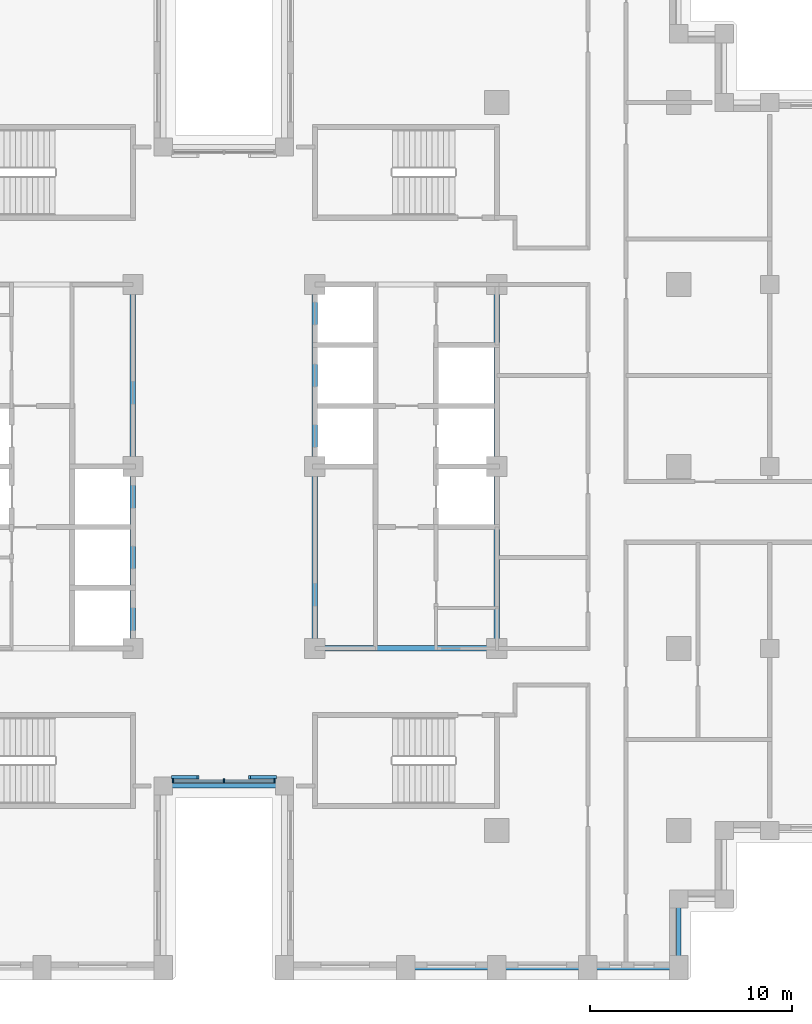
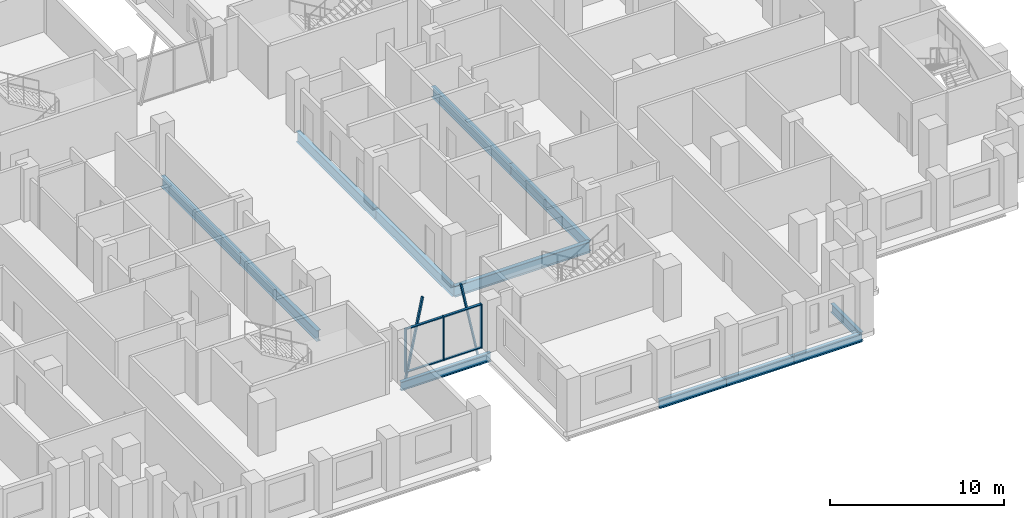
# One storey, part 2 of 16: 12 beams, 9 members, 1 element without a shape of its own.
"""IFC4 building model written with IfcOpenShell, lengths in metres."""

from ifc_helpers import new_model, si_unit, direction, frame, origin, origin_2d, place, context, subcontext, project, spatial, rectangle, i_section, extrude, material, layer, layer_set, material_profile, profile_set, type_object, element, aggregate, save


model = new_model("IFC4")

# Units and contexts
model_context = context("Model", 3, precision=1e-05, world=origin(), true_north=direction((0.0, 1.0)))
body_context = subcontext(model_context, "Body", "Model", "MODEL_VIEW")
ifc_project = project(units=[si_unit("LENGTHUNIT", "METRE"), si_unit("AREAUNIT", "SQUARE_METRE"), si_unit("VOLUMEUNIT", "CUBIC_METRE"), si_unit("PLANEANGLEUNIT", "RADIAN"), si_unit("MASSUNIT", "GRAM", prefix="KILO")], contexts=[model_context])

# Site, building, storey
site_placement = place(None, origin())
site = spatial("IfcSite", under=ifc_project, at=site_placement, CompositionType="ELEMENT")
building_placement = place(site_placement, origin())
building = spatial("IfcBuilding", under=site, at=building_placement, Name="Corbelhall Arena Tower", CompositionType="ELEMENT")
storey_placement = place(building_placement, frame((0.0, 0.0, 112.0)))
storey = spatial("IfcBuildingStorey", under=building, at=storey_placement, Name="L20", CompositionType="ELEMENT", Elevation=112.0)

# Curtain wall, members
ifc_material_1 = material(Name="Aluminium black anodised", Category="aluminium")
ifc_layer = layer(ifc_material_1, 0.199951171875)
ifc_layer_set = layer_set([ifc_layer], Name="EV-CW1 Slot back wall")
curtain_wall_type = type_object("IfcCurtainWallType", Name="EV-CW1 Slot back wall", PredefinedType="NOTDEFINED", material=ifc_layer_set)
curtain_wall_placement = place(storey_placement, origin())
curtain_wall = element("IfcCurtainWall", 1, at=curtain_wall_placement, inside=storey, type_object=curtain_wall_type, Name="Curtain wall CW1", PredefinedType="NOTDEFINED")
ifc_material_profile_1 = material_profile(ifc_material_1, rectangle(XDim=0.199951171875, YDim=0.074951171875, at=origin_2d()))
ifc_profile_set_1 = profile_set([ifc_material_profile_1], Name="Aluminium black anodised")
member_type_1 = type_object("IfcMemberType", Name="EV-CW1-MULLION", PredefinedType="MULLION", material=ifc_profile_set_1)
member_1_placement = place(storey_placement, frame((-2.512451171875, -15.550048828125, 0.0), z_axis=(0.0, 0.0, 1.0), x_axis=(0.0, 1.0, 0.0)))
member_1 = element("IfcMember", 2, at=member_1_placement, type_object=member_type_1, Name="CW1 mullion 1", PredefinedType="MULLION", context=body_context, shape_type="SweptSolid", body=[
    extrude(rectangle(XDim=0.199951171875, YDim=0.074951171875, at=origin_2d()), origin(), (0.0, 0.0, 1.0), 3.10009765625),
])
member_2_placement = place(storey_placement, frame((0.0, -15.550048828125, 0.0), z_axis=(0.0, 0.0, 1.0), x_axis=(0.0, 1.0, 0.0)))
member_2 = element("IfcMember", 3, at=member_2_placement, type_object=member_type_1, Name="CW1 mullion 2", PredefinedType="MULLION", context=body_context, shape_type="SweptSolid", body=[
    extrude(rectangle(XDim=0.199951171875, YDim=0.074951171875, at=origin_2d()), origin(), (0.0, 0.0, 1.0), 3.10009765625),
])
member_3_placement = place(storey_placement, frame((2.512451171875, -15.550048828125, 0.0), z_axis=(0.0, 0.0, 1.0), x_axis=(0.0, 1.0, 0.0)))
member_3 = element("IfcMember", 4, at=member_3_placement, type_object=member_type_1, Name="CW1 mullion 3", PredefinedType="MULLION", context=body_context, shape_type="SweptSolid", body=[
    extrude(rectangle(XDim=0.199951171875, YDim=0.074951171875, at=origin_2d()), origin(), (0.0, 0.0, 1.0), 3.10009765625),
])
ifc_material_profile_2 = material_profile(ifc_material_1, rectangle(XDim=0.14990234375, YDim=0.074951171875, at=origin_2d()))
ifc_profile_set_2 = profile_set([ifc_material_profile_2], Name="Aluminium black anodised")
member_type_2 = type_object("IfcMemberType", Name="EV-CW1-TRANSOM", PredefinedType="USERDEFINED", material=ifc_profile_set_2)
member_4_placement = place(storey_placement, frame((-2.47509765625, -15.550048828125, 0.03759765625), z_axis=(1.0, 0.0, 0.0), x_axis=(0.0, 1.0, 0.0)))
member_4 = element("IfcMember", 5, at=member_4_placement, type_object=member_type_2, Name="CW1 transom 1.1", ObjectType="transom", PredefinedType="USERDEFINED", context=body_context, shape_type="SweptSolid", body=[
    extrude(rectangle(XDim=0.14990234375, YDim=0.074951171875, at=origin_2d()), origin(), (0.0, 0.0, 1.0), 2.4375),
])
member_5_placement = place(storey_placement, frame((-2.47509765625, -15.550048828125, 3.0625), z_axis=(1.0, 0.0, 0.0), x_axis=(0.0, 1.0, 0.0)))
member_5 = element("IfcMember", 6, at=member_5_placement, type_object=member_type_2, Name="CW1 transom 1.2", ObjectType="transom", PredefinedType="USERDEFINED", context=body_context, shape_type="SweptSolid", body=[
    extrude(rectangle(XDim=0.14990234375, YDim=0.074951171875, at=origin_2d()), origin(), (0.0, 0.0, 1.0), 2.4375),
])
member_6_placement = place(storey_placement, frame((0.03759765625, -15.550048828125, 0.03759765625), z_axis=(1.0, 0.0, 0.0), x_axis=(0.0, 1.0, 0.0)))
member_6 = element("IfcMember", 7, at=member_6_placement, type_object=member_type_2, Name="CW1 transom 2.1", ObjectType="transom", PredefinedType="USERDEFINED", context=body_context, shape_type="SweptSolid", body=[
    extrude(rectangle(XDim=0.14990234375, YDim=0.074951171875, at=origin_2d()), origin(), (0.0, 0.0, 1.0), 2.4375),
])
member_7_placement = place(storey_placement, frame((0.03759765625, -15.550048828125, 3.0625), z_axis=(1.0, 0.0, 0.0), x_axis=(0.0, 1.0, 0.0)))
member_7 = element("IfcMember", 8, at=member_7_placement, type_object=member_type_2, Name="CW1 transom 2.2", ObjectType="transom", PredefinedType="USERDEFINED", context=body_context, shape_type="SweptSolid", body=[
    extrude(rectangle(XDim=0.14990234375, YDim=0.074951171875, at=origin_2d()), origin(), (0.0, 0.0, 1.0), 2.4375),
])
aggregate(curtain_wall, [member_1, member_2, member_3, member_4, member_5, member_6, member_7])

# Members
ifc_material_profile_3 = material_profile(ifc_material_1, rectangle(XDim=0.159912109375, YDim=0.10009765625, at=origin_2d()))
ifc_profile_set_3 = profile_set([ifc_material_profile_3], Name="Aluminium black anodised")
member_type_3 = type_object("IfcMemberType", Name="EV-TR1 Tracery bar", PredefinedType="USERDEFINED", material=ifc_profile_set_3)
for number, where, z_axis, x_axis, name in (
    (9, (-2.550048828125, -15.3701171875, -1.307373046875), (0.204144671158, 0.0, 0.978940730197), (0.0, 1.0, 0.0), "Tracery bar"),
    (10, (1.27490234375, -15.3701171875, 4.807373046875), (0.204144671158, 0.0, -0.978940730197), (0.0, 1.0, 0.0), "Tracery bar"),
):
    element("IfcMember", number, at=place(storey_placement, frame(where, z_axis=z_axis, x_axis=x_axis)), inside=storey, type_object=member_type_3, Name=name, ObjectType="TRACERY", PredefinedType="USERDEFINED", context=body_context, shape_type="SweptSolid", body=[
        extrude(rectangle(XDim=0.159912109375, YDim=0.10009765625, at=origin_2d()), origin(), (0.0, 0.0, 1.0), 6.246337890625),
    ])

# Beams
ifc_material_2 = material(Name="Steel ASTM A992 Gr50", Category="steel")
ifc_material_profile_4 = material_profile(ifc_material_2, i_section(OverallWidth=0.2666015625, OverallDepth=0.761962890625, WebThickness=0.014404296875, FlangeThickness=0.021484375, at=origin_2d()))
ifc_profile_set_4 = profile_set([ifc_material_profile_4], Name="Steel ASTM A992 Gr50")
beam_type_1 = type_object("IfcBeamType", Name="ST-BEAM-W30x116", PredefinedType="BEAM", material=ifc_profile_set_4)
for number, where, z_axis, x_axis, name in (
    (11, (-4.5, -9.0, -0.680908203125), (0.0, 1.0, 0.0), (-1.0, 0.0, 0.0), "Beam CEW 3"),
    (12, (-4.5, 0.0, -0.680908203125), (0.0, 1.0, 0.0), (-1.0, 0.0, 0.0), "Beam CEW 4"),
    (13, (4.5, -9.0, -0.680908203125), (0.0, 1.0, 0.0), (-1.0, 0.0, 0.0), "Beam CEE 7"),
    (14, (4.5, 0.0, -0.680908203125), (0.0, 1.0, 0.0), (-1.0, 0.0, 0.0), "Beam CEE 8"),
    (15, (13.5, -9.0, -0.680908203125), (0.0, 1.0, 0.0), (-1.0, 0.0, 0.0), "Beam CEE 9"),
    (16, (13.5, 0.0, -0.680908203125), (0.0, 1.0, 0.0), (-1.0, 0.0, 0.0), "Beam CEE 10"),
    (17, (4.5, -9.0, -0.680908203125), (1.0, 0.0, 0.0), (0.0, 1.0, 0.0), "Beam CEE 11"),
):
    element("IfcBeam", number, at=place(storey_placement, frame(where, z_axis=z_axis, x_axis=x_axis)), inside=storey, type_object=beam_type_1, Name=name, PredefinedType="BEAM", context=body_context, shape_type="SweptSolid", body=[
        extrude(i_section(OverallWidth=0.2666015625, OverallDepth=0.761962890625, WebThickness=0.014404296875, FlangeThickness=0.021484375, at=origin_2d()), origin(), (0.0, 0.0, 1.0), 9.0),
    ])
ifc_material_profile_5 = material_profile(ifc_material_2, i_section(OverallWidth=0.23046875, OverallDepth=0.6171875, WebThickness=0.01318359375, FlangeThickness=0.022216796875, at=origin_2d()))
ifc_profile_set_5 = profile_set([ifc_material_profile_5], Name="Steel ASTM A992 Gr50")
beam_type_2 = type_object("IfcBeamType", Name="ST-SPANDREL-W24x94", PredefinedType="SPANDREL", material=ifc_profile_set_5)
for number, where, z_axis, x_axis, name in (
    (18, (13.5, -24.800048828125, -0.608642578125), (-1.0, 0.0, 0.0), (0.0, -1.0, 0.0), "Beam SP 29"),
    (19, (18.0, -24.800048828125, -0.608642578125), (-1.0, 0.0, 0.0), (0.0, -1.0, 0.0), "Beam SP 30"),
    (20, (22.5, -24.800048828125, -0.608642578125), (-1.0, 0.0, 0.0), (0.0, -1.0, 0.0), "Beam SP 31"),
):
    element("IfcBeam", number, at=place(storey_placement, frame(where, z_axis=z_axis, x_axis=x_axis)), inside=storey, type_object=beam_type_2, Name=name, PredefinedType="SPANDREL", context=body_context, shape_type="SweptSolid", body=[
        extrude(i_section(OverallWidth=0.23046875, OverallDepth=0.6171875, WebThickness=0.01318359375, FlangeThickness=0.022216796875, at=origin_2d()), origin(), (0.0, 0.0, 1.0), 4.5),
    ])
beam_1_placement = place(storey_placement, frame((3.0, -15.800048828125, -0.608642578125), z_axis=(-1.0, 0.0, 0.0), x_axis=(0.0, -1.0, 0.0)))
element("IfcBeam", 21, at=beam_1_placement, inside=storey, type_object=beam_type_2, Name="Beam SP 41", PredefinedType="SPANDREL", context=body_context, shape_type="SweptSolid", body=[
    extrude(i_section(OverallWidth=0.23046875, OverallDepth=0.6171875, WebThickness=0.01318359375, FlangeThickness=0.022216796875, at=origin_2d()), origin(), (0.0, 0.0, 1.0), 6.0),
])
beam_2_placement = place(storey_placement, frame((22.5, -21.39990234375, -0.608642578125), z_axis=(0.0, -1.0, 0.0), x_axis=(1.0, 0.0, 0.0)))
element("IfcBeam", 22, at=beam_2_placement, inside=storey, type_object=beam_type_2, Name="Beam SP 49", PredefinedType="SPANDREL", context=body_context, shape_type="SweptSolid", body=[
    extrude(i_section(OverallWidth=0.23046875, OverallDepth=0.6171875, WebThickness=0.01318359375, FlangeThickness=0.022216796875, at=origin_2d()), origin(), (0.0, 0.0, 1.0), 3.400146484375),
])

save(model, "model.ifc")
